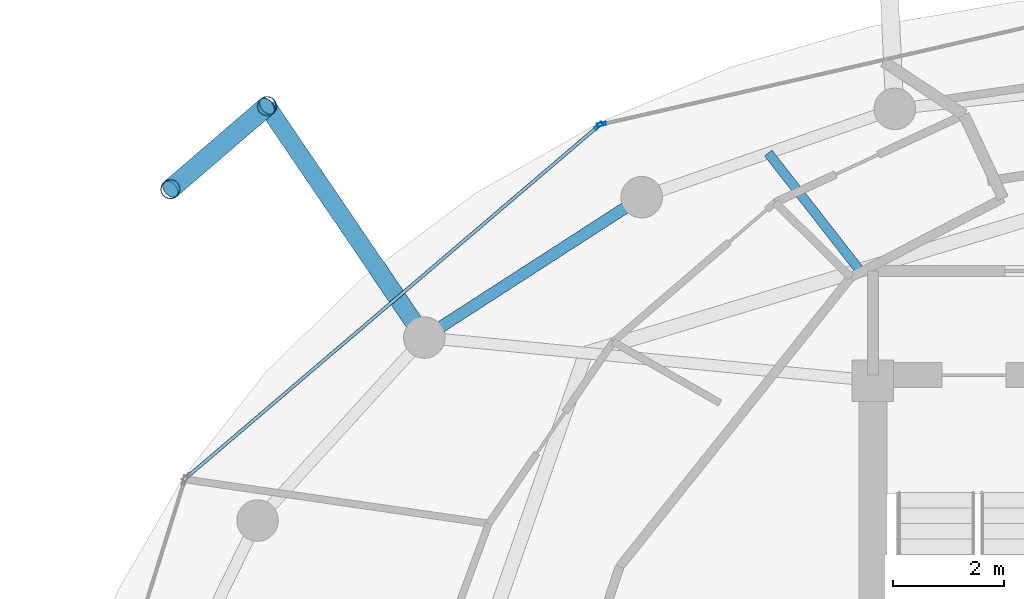
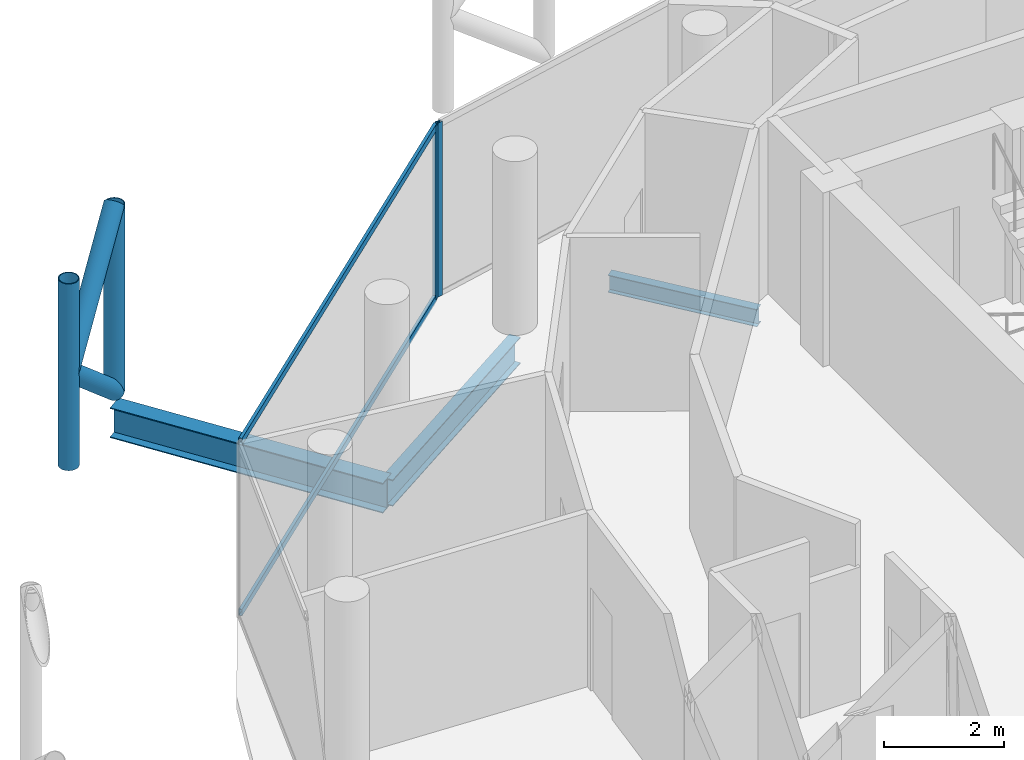
# One storey, part 15 of 24: 8 members, 3 beams, 2 elements without a shape of their own.
"""IFC4 building model written with IfcOpenShell, lengths in metres."""

from ifc_helpers import new_model, si_unit, direction, frame, origin, origin_2d, place, context, subcontext, project, spatial, hollow_rectangle, hollow_circle, i_section, extrude, material, layer, layer_set, material_profile, profile_set, type_object, element, aggregate, save


model = new_model("IFC4")

# Units and contexts
model_context = context("Model", 3, precision=1e-05, world=origin(), true_north=direction((0.0, 1.0)))
body_context = subcontext(model_context, "Body", "Model", "MODEL_VIEW")
ifc_project = project(units=[si_unit("LENGTHUNIT", "METRE"), si_unit("AREAUNIT", "SQUARE_METRE"), si_unit("VOLUMEUNIT", "CUBIC_METRE"), si_unit("PLANEANGLEUNIT", "RADIAN"), si_unit("MASSUNIT", "GRAM", prefix="KILO")], contexts=[model_context])

# Site, building, storey
site_placement = place(None, origin())
site = spatial("IfcSite", under=ifc_project, at=site_placement, CompositionType="ELEMENT")
building_placement = place(site_placement, origin())
building = spatial("IfcBuilding", under=site, at=building_placement, Name="Nuhasar Tower", CompositionType="ELEMENT")
storey_placement = place(building_placement, frame((0.0, 0.0, 263.199951171875)))
storey = spatial("IfcBuildingStorey", under=building, at=storey_placement, Name="L65", CompositionType="ELEMENT", Elevation=263.199951171875)

# Beams
ifc_material_1 = material(Name="Steel S355", Category="steel")
ifc_material_profile_1 = material_profile(ifc_material_1, i_section(OverallWidth=0.1708984375, OverallDepth=0.35205078125, WebThickness=0.0068359375, FlangeThickness=0.009765625, at=origin_2d()), Name="W14X30")
ifc_profile_set_1 = profile_set([ifc_material_profile_1], Name="Steel S355")
beam_type_1 = type_object("IfcBeamType", Name="BM-JST-W14X30", PredefinedType="JOIST", material=ifc_profile_set_1)
beam_1_placement = place(storey_placement, frame((33.4609375, 39.29296875, -0.43603515625), z_axis=(-0.614953767351, 0.788563164256, 0.0), x_axis=(-0.788563164256, -0.614953767351, 0.0)))
element("IfcBeam", 1, at=beam_1_placement, inside=storey, type_object=beam_type_1, Name="L65 Secondary Floor Joist 06", PredefinedType="JOIST", context=body_context, shape_type="SweptSolid", body=[
    extrude(i_section(OverallWidth=0.1708984375, OverallDepth=0.35205078125, WebThickness=0.0068359375, FlangeThickness=0.009765625, at=origin_2d()), origin(), (0.0, 0.0, 1.0), 2.6845703125),
])
ifc_material_profile_2 = material_profile(ifc_material_1, i_section(OverallWidth=0.2099609375, OverallDepth=0.537109375, WebThickness=0.010986328125, FlangeThickness=0.017333984375, at=origin_2d()), Name="W21X68")
ifc_profile_set_2 = profile_set([ifc_material_profile_2], Name="Steel S355")
beam_type_2 = type_object("IfcBeamType", Name="BM-RING-W21X68", PredefinedType="SPANDREL", material=ifc_profile_set_2)
beam_2_placement = place(storey_placement, frame((29.52490234375, 40.613037109375, -0.529052734375), z_axis=(-0.840001671147, -0.54258381147, 0.0), x_axis=(0.54258381147, -0.840001671147, 0.0)))
element("IfcBeam", 2, at=beam_2_placement, inside=storey, type_object=beam_type_2, Name="L65 Perimeter Ring Spandrel 09", PredefinedType="SPANDREL", context=body_context, shape_type="SweptSolid", body=[
    extrude(i_section(OverallWidth=0.2099609375, OverallDepth=0.537109375, WebThickness=0.010986328125, FlangeThickness=0.017333984375, at=origin_2d()), origin(), (0.0, 0.0, 1.0), 4.67236328125),
])
ifc_material_profile_3 = material_profile(ifc_material_1, i_section(OverallWidth=0.323974609375, OverallDepth=0.611083984375, WebThickness=0.0126953125, FlangeThickness=0.01904296875, at=origin_2d()), Name="W24X104")
ifc_profile_set_3 = profile_set([ifc_material_profile_3], Name="Steel S355")
beam_type_3 = type_object("IfcBeamType", Name="BM-TIE-W24X104", PredefinedType="BEAM", material=ifc_profile_set_3)
beam_3_placement = place(storey_placement, frame((25.60009765625, 38.077880859375, -0.56494140625), z_axis=(-0.562070792096, 0.827089127405, 0.0), x_axis=(-0.827089127405, -0.562070792096, 0.0)))
element("IfcBeam", 3, at=beam_3_placement, inside=storey, type_object=beam_type_3, Name="L65 Exoskeleton Node Tie Beam 05", PredefinedType="BEAM", context=body_context, shape_type="SweptSolid", body=[
    extrude(i_section(OverallWidth=0.323974609375, OverallDepth=0.611083984375, WebThickness=0.0126953125, FlangeThickness=0.01904296875, at=origin_2d()), origin(), (0.0, 0.0, 1.0), 5.052978515625),
])

# Curtain wall, member
ifc_material_2 = material(Name="Aluminium 6063-T6", Category="aluminium")
ifc_layer = layer(ifc_material_2, 0.18994140625)
ifc_layer_set = layer_set([ifc_layer], Name="Aluminium 6063-T6")
curtain_wall_type = type_object("IfcCurtainWallType", Name="CW-Z4-PEN", PredefinedType="NOTDEFINED", material=ifc_layer_set)
curtain_wall_1_placement = place(storey_placement, origin())
curtain_wall_1 = element("IfcCurtainWall", 4, at=curtain_wall_1_placement, inside=storey, type_object=curtain_wall_type, Name="L65 Unitised Curtain Wall 04", PredefinedType="NOTDEFINED")
ifc_material_profile_4 = material_profile(ifc_material_2, hollow_rectangle(XDim=0.06005859375, YDim=0.1650390625, WallThickness=0.0048828125, at=origin_2d()), Name="CWM-5")
ifc_profile_set_4 = profile_set([ifc_material_profile_4], Name="Aluminium 6063-T6")
member_type_1 = type_object("IfcMemberType", Name="CW-MUL-S5", PredefinedType="MULLION", material=ifc_profile_set_4)
member_1_placement = place(storey_placement, frame((28.79931640625, 41.927734375, 0.0), z_axis=(0.0, 0.0, 1.0), x_axis=(0.222889487645, -0.97484371891, 0.0)))
member_1 = element("IfcMember", 5, at=member_1_placement, type_object=member_type_1, Name="CW-Z4 mullion 2", PredefinedType="MULLION", context=body_context, shape_type="SweptSolid", body=[
    extrude(hollow_rectangle(XDim=0.06005859375, YDim=0.1650390625, WallThickness=0.0048828125, at=origin_2d()), origin(), (0.0, 0.0, 1.0), 3.5400390625),
])
aggregate(curtain_wall_1, [member_1])

# Curtain wall, members
curtain_wall_2_placement = place(storey_placement, origin())
curtain_wall_2 = element("IfcCurtainWall", 6, at=curtain_wall_2_placement, inside=storey, type_object=curtain_wall_type, Name="L65 Unitised Curtain Wall 05", PredefinedType="NOTDEFINED")
member_2_placement = place(storey_placement, frame((28.7470703125, 41.901611328125, 0.0), z_axis=(0.0, 0.0, 1.0), x_axis=(0.649141996205, -0.760667252327, 0.0)))
member_2 = element("IfcMember", 7, at=member_2_placement, type_object=member_type_1, Name="CW-Z4 mullion 1", PredefinedType="MULLION", context=body_context, shape_type="SweptSolid", body=[
    extrude(hollow_rectangle(XDim=0.06005859375, YDim=0.1650390625, WallThickness=0.0048828125, at=origin_2d()), origin(), (0.0, 0.0, 1.0), 3.5400390625),
])
ifc_material_profile_5 = material_profile(ifc_material_2, hollow_rectangle(XDim=0.06005859375, YDim=0.135009765625, WallThickness=0.00439453125, at=origin_2d()), Name="CWT-5")
ifc_profile_set_5 = profile_set([ifc_material_profile_5], Name="Aluminium 6063-T6")
member_type_2 = type_object("IfcMemberType", Name="CW-TRN-S5", PredefinedType="USERDEFINED", material=ifc_profile_set_5)
member_3_placement = place(storey_placement, frame((28.724365234375, 41.882080078125, 0.030029296875), z_axis=(-0.760660035709, -0.649150452573, 0.0), x_axis=(0.649150452573, -0.760660035709, 0.0)))
member_3 = element("IfcMember", 8, at=member_3_placement, type_object=member_type_2, Name="CW-Z4 transom 1.1", ObjectType="TRANSOM", PredefinedType="USERDEFINED", context=body_context, shape_type="SweptSolid", body=[
    extrude(hollow_rectangle(XDim=0.06005859375, YDim=0.135009765625, WallThickness=0.00439453125, at=origin_2d()), origin(), (0.0, 0.0, 1.0), 9.725341796875),
])
member_4_placement = place(storey_placement, frame((28.724365234375, 41.882080078125, 3.510009765625), z_axis=(-0.760660035709, -0.649150452573, 0.0), x_axis=(0.649150452573, -0.760660035709, 0.0)))
member_4 = element("IfcMember", 9, at=member_4_placement, type_object=member_type_2, Name="CW-Z4 transom 1.2", ObjectType="TRANSOM", PredefinedType="USERDEFINED", context=body_context, shape_type="SweptSolid", body=[
    extrude(hollow_rectangle(XDim=0.06005859375, YDim=0.135009765625, WallThickness=0.00439453125, at=origin_2d()), origin(), (0.0, 0.0, 1.0), 9.725341796875),
])
aggregate(curtain_wall_2, [member_2, member_3, member_4])

# Members
ifc_material_3 = material(Name="Steel S460", Category="steel")
ifc_material_profile_6 = material_profile(ifc_material_3, hollow_circle(Radius=0.177734375, WallThickness=0.015869140625, at=origin_2d()), Name="HSS355.6X15.9")
ifc_profile_set_6 = profile_set([ifc_material_profile_6], Name="Steel S460")
member_type_3 = type_object("IfcMemberType", Name="EXO-BRONZE-356", PredefinedType="BRACE", material=ifc_profile_set_6)
for number, where, z_axis, x_axis, name in (
    (10, (22.760009765625, 42.257080078125, 0.0), (0.0, 0.0, 1.0), (1.0, 0.0, 0.0), "L65 Exoskeleton Chord Column EC-05A"),
    (11, (21.01611328125, 40.758056640625, 0.0), (0.0, 0.0, 1.0), (1.0, 0.0, 0.0), "L65 Exoskeleton Chord Column EC-05B"),
):
    element("IfcMember", number, at=place(storey_placement, frame(where, z_axis=z_axis, x_axis=x_axis)), inside=storey, type_object=member_type_3, Name=name, PredefinedType="BRACE", context=body_context, shape_type="SweptSolid", body=[
        extrude(hollow_circle(Radius=0.177734375, WallThickness=0.015869140625, at=origin_2d()), origin(), (0.0, 0.0, 1.0), 3.800048828125),
    ])
member_5_placement = place(storey_placement, frame((22.760009765625, 42.257080078125, 0.0), z_axis=(-0.584594747408, -0.50250759472, 0.636973389203), x_axis=(0.65185738425, -0.758341579104, 0.0)))
element("IfcMember", 12, at=member_5_placement, inside=storey, type_object=member_type_3, Name="L65 Bronze Diagrid Brace W1-05", PredefinedType="BRACE", context=body_context, shape_type="SweptSolid", body=[
    extrude(hollow_circle(Radius=0.177734375, WallThickness=0.015869140625, at=origin_2d()), origin(), (0.0, 0.0, 1.0), 2.983154296875),
])
member_6_placement = place(storey_placement, frame((21.01611328125, 40.758056640625, 1.900146484375), z_axis=(0.584625223306, 0.502533791278, 0.636924749792), x_axis=(-0.65185738425, 0.758341579104, 0.0)))
element("IfcMember", 13, at=member_6_placement, inside=storey, type_object=member_type_3, Name="L65 Bronze Diagrid Brace W2-05", PredefinedType="BRACE", context=body_context, shape_type="SweptSolid", body=[
    extrude(hollow_circle(Radius=0.177734375, WallThickness=0.015869140625, at=origin_2d()), origin(), (0.0, 0.0, 1.0), 2.98291015625),
])

save(model, "model.ifc")
